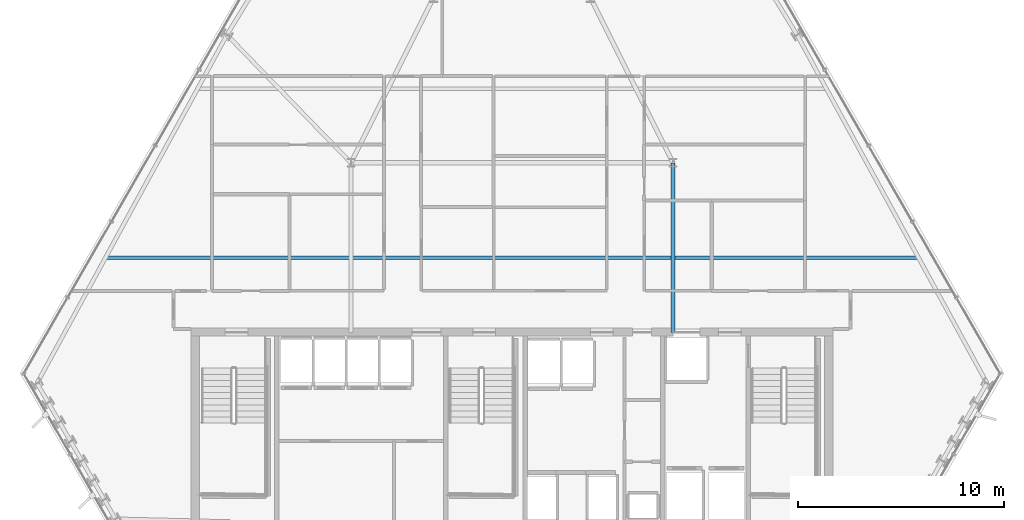
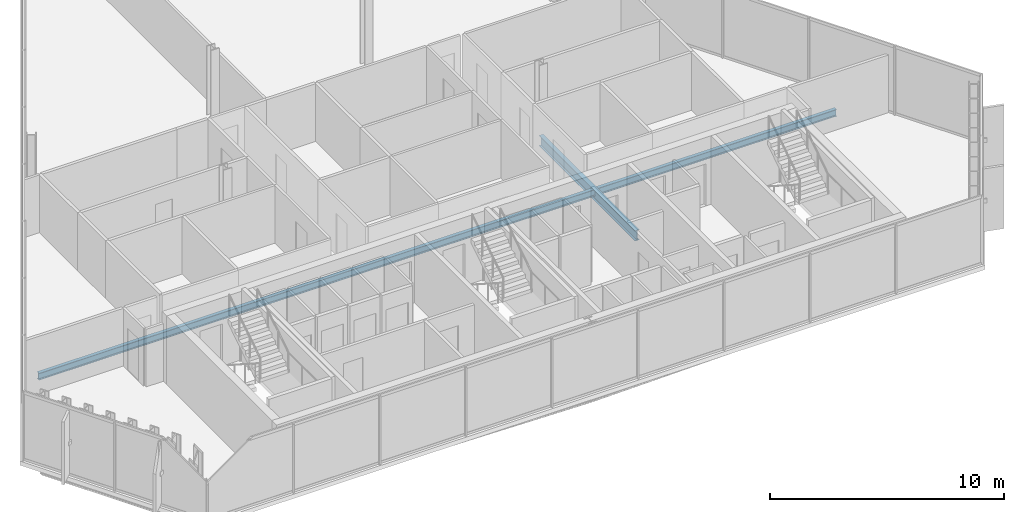
# One storey, part 9 of 34: 2 beams.
"""IFC4 building model written with IfcOpenShell, lengths in metres."""

from ifc_helpers import new_model, si_unit, direction, frame, origin, origin_2d, place, context, subcontext, project, spatial, i_section, extrude, material, material_profile, profile_set, type_object, element, save


model = new_model("IFC4")

# Units and contexts
model_context = context("Model", 3, precision=1e-05, world=origin(), true_north=direction((0.0, 1.0)))
body_context = subcontext(model_context, "Body", "Model", "MODEL_VIEW")
ifc_project = project(units=[si_unit("LENGTHUNIT", "METRE"), si_unit("AREAUNIT", "SQUARE_METRE"), si_unit("VOLUMEUNIT", "CUBIC_METRE"), si_unit("PLANEANGLEUNIT", "RADIAN"), si_unit("MASSUNIT", "GRAM", prefix="KILO")], contexts=[model_context])

# Site, building, storey
site_placement = place(None, origin())
site = spatial("IfcSite", under=ifc_project, at=site_placement, CompositionType="ELEMENT")
building_placement = place(site_placement, origin())
building = spatial("IfcBuilding", under=site, at=building_placement, Name="Ndaravel Arena Tower", CompositionType="ELEMENT")
storey_placement = place(building_placement, frame((0.0, 0.0, 195.39990234375)))
storey = spatial("IfcBuildingStorey", under=building, at=storey_placement, Name="L47", CompositionType="ELEMENT", Elevation=195.39990234375)

# Beams
ifc_material_1 = material(Name="Steel S355", Category="steel")
ifc_material_profile_1 = material_profile(ifc_material_1, i_section(OverallWidth=0.210693359375, OverallDepth=0.53955078125, WebThickness=0.01171875, FlangeThickness=0.018798828125, FilletRadius=0.0126953125, at=origin_2d()), Name="UB 533x210x109")
ifc_profile_set_1 = profile_set([ifc_material_profile_1], Name="Steel S355")
beam_type_1 = type_object("IfcBeamType", Name="BM-GIRD-UB533", PredefinedType="BEAM", material=ifc_profile_set_1)
beam_1_placement = place(storey_placement, frame((49.800048828125, 14.97998046875, -0.489501953125), z_axis=(0.0, 1.0, 0.0), x_axis=(-1.0, 0.0, 0.0)))
element("IfcBeam", 1, at=beam_1_placement, inside=storey, type_object=beam_type_1, Name="L47 Spine Link Girder SLG-02", PredefinedType="BEAM", context=body_context, shape_type="SweptSolid", body=[
    extrude(i_section(OverallWidth=0.210693359375, OverallDepth=0.53955078125, WebThickness=0.01171875, FlangeThickness=0.018798828125, FilletRadius=0.0126953125, at=origin_2d()), origin(), (0.0, 0.0, 1.0), 8.219970703125),
])
ifc_material_2 = material(Name="Steel S355", Category="steel")
ifc_material_profile_2 = material_profile(ifc_material_2, i_section(OverallWidth=0.172119140625, OverallDepth=0.35791015625, WebThickness=0.008056640625, FlangeThickness=0.012939453125, FilletRadius=0.01025390625, at=origin_2d()), Name="UB 356x171x57")
ifc_profile_set_2 = profile_set([ifc_material_profile_2], Name="Steel S355")
beam_type_2 = type_object("IfcBeamType", Name="BM-JOIST-UB356", PredefinedType="JOIST", material=ifc_profile_set_2)
beam_2_placement = place(storey_placement, frame((22.301513671875, 18.60009765625, -0.39892578125), z_axis=(1.0, 0.0, 0.0), x_axis=(0.0, 1.0, 0.0)))
element("IfcBeam", 2, at=beam_2_placement, inside=storey, type_object=beam_type_2, Name="L47 Composite Floor Joist FJ-01", PredefinedType="JOIST", context=body_context, shape_type="SweptSolid", body=[
    extrude(i_section(OverallWidth=0.172119140625, OverallDepth=0.35791015625, WebThickness=0.008056640625, FlangeThickness=0.012939453125, FilletRadius=0.01025390625, at=origin_2d()), origin(), (0.0, 0.0, 1.0), 39.39697265625),
])

save(model, "model.ifc")
